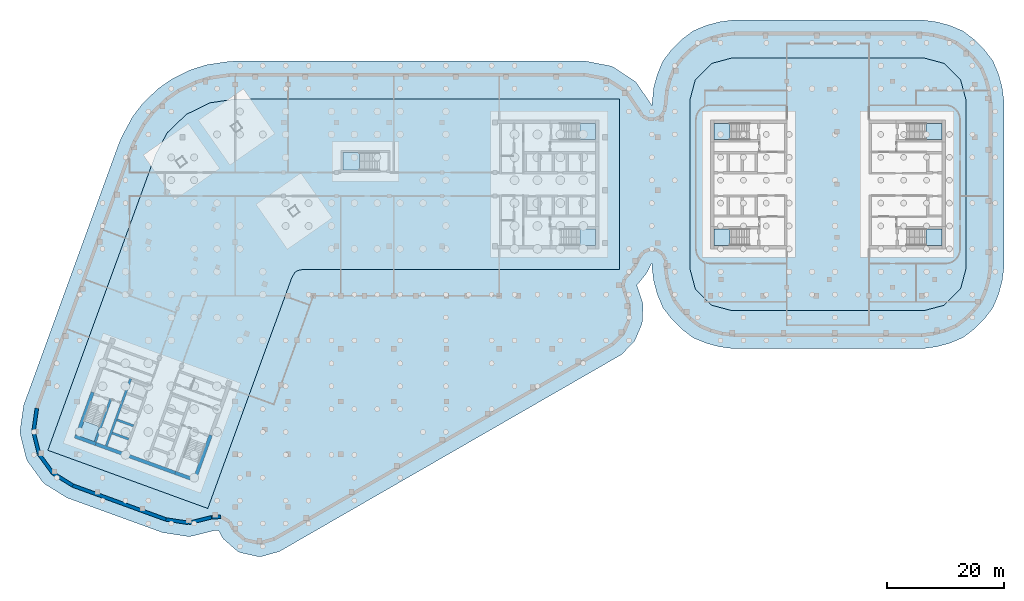
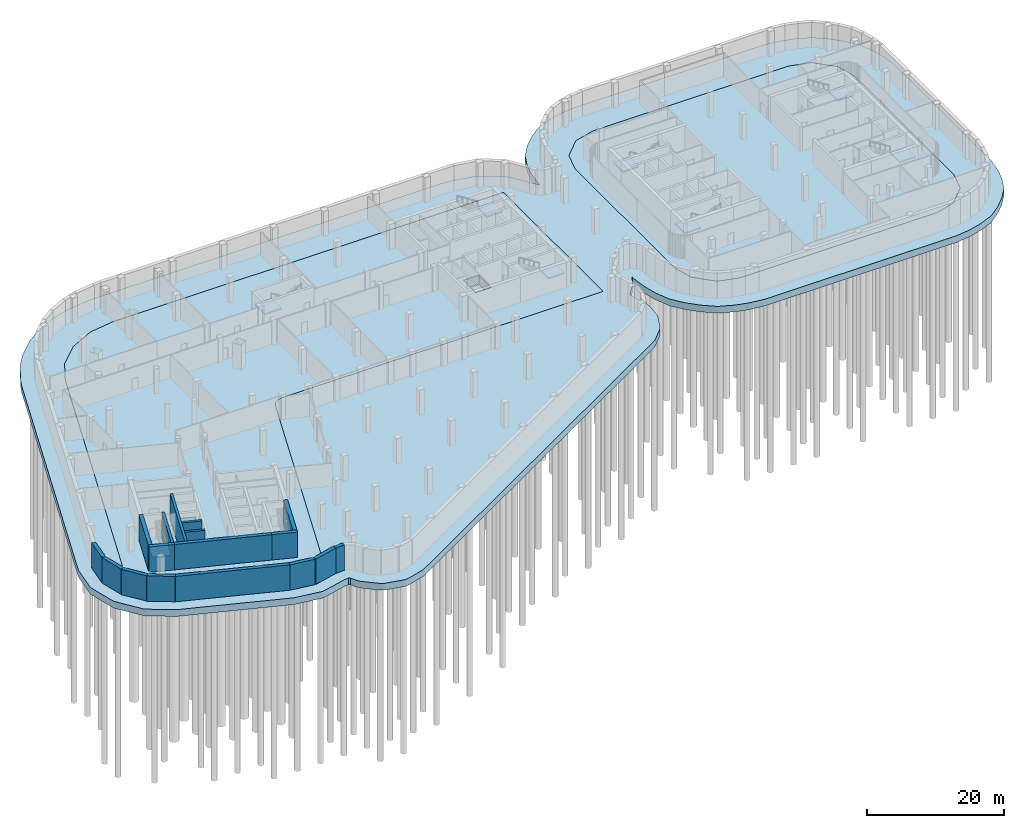
# One storey, part 4 of 18: 17 walls, 12 slabs, 8 elements without a shape of their own.
"""IFC4 building model written with IfcOpenShell, lengths in metres."""

from ifc_helpers import new_model, si_unit, direction, frame, frame_2d, origin, place, context, subcontext, project, spatial, polyline, rectangle, outline, extrude, material, layer, layer_set, type_object, element, aggregate, save


model = new_model("IFC4")

# Units and contexts
model_context = context("Model", 3, precision=1e-05, world=origin(), true_north=direction((0.0, 1.0)))
body_context = subcontext(model_context, "Body", "Model", "MODEL_VIEW")
ifc_project = project(units=[si_unit("LENGTHUNIT", "METRE"), si_unit("AREAUNIT", "SQUARE_METRE"), si_unit("VOLUMEUNIT", "CUBIC_METRE"), si_unit("PLANEANGLEUNIT", "RADIAN"), si_unit("MASSUNIT", "GRAM", prefix="KILO")], contexts=[model_context])

# Site, building, storey
site_placement = place(None, origin())
site = spatial("IfcSite", under=ifc_project, at=site_placement, CompositionType="ELEMENT")
building_placement = place(site_placement, origin())
building = spatial("IfcBuilding", under=site, at=building_placement, Name="Skarvind Civic Tower", CompositionType="ELEMENT")
storey_placement = place(building_placement, frame((0.0, 0.0, -9.0)))
storey = spatial("IfcBuildingStorey", under=building, at=storey_placement, Name="B2", CompositionType="ELEMENT", Elevation=-9.0)

# Slabs
ifc_material_1 = material(Name="Concrete C50", Category="concrete")
ifc_layer_1 = layer(ifc_material_1, 1.199951171875)
ifc_layer_set_1 = layer_set([ifc_layer_1], Name="Raft Podium 1200")
slab_type_1 = type_object("IfcSlabType", Name="Raft Podium 1200", PredefinedType="BASESLAB", material=ifc_layer_set_1)
slab_1_placement = place(storey_placement, frame((0.0, 0.0, -1.199951171875)))
element("IfcSlab", 1, at=slab_1_placement, inside=storey, type_object=slab_type_1, Name="Raft Podium 1", PredefinedType="BASESLAB", context=body_context, shape_type="SweptSolid", body=[
    extrude(outline(polyline([(53.296630859375, 65.36669921875), (53.452392578125, 65.41796875), (53.603515625, 65.481689453125), (53.748779296875, 65.5576171875), (111.58447265625, 98.844482421875), (111.740966796875, 98.944580078125), (111.8876953125, 99.058837890625), (112.02294921875, 99.18603515625), (113.801513671875, 101.02099609375), (113.922119140625, 101.1572265625), (114.029541015625, 101.303955078125), (114.12353515625, 101.459716796875), (114.202880859375, 101.623291015625), (115.211669921875, 103.97119140625), (115.27587890625, 104.141357421875), (115.32421875, 104.31689453125), (115.356689453125, 104.49560546875), (115.37255859375, 104.677001953125), (115.479736328125, 107.230224609375), (115.47900390625, 107.412109375), (115.4619140625, 107.593017578125), (115.428466796875, 107.77197265625), (115.378662109375, 107.94677734375), (114.58056640625, 110.34033203125), (114.43603515625, 110.824951171875), (114.440185546875, 110.84326171875), (114.7978515625, 111.24560546875), (114.856689453125, 111.314697265625), (115.919677734375, 112.625244140625), (116.043212890625, 112.794921875), (116.148193359375, 112.976806640625), (116.836181640625, 114.326416015625), (117.018310546875, 114.569091796875), (117.001220703125, 114.093505859375), (117.002197265625, 113.9267578125), (117.01708984375, 113.7607421875), (117.29541015625, 111.647216796875), (117.346435546875, 111.390625), (117.869873046875, 109.43701171875), (117.95361328125, 109.190185546875), (118.761962890625, 107.236572265625), (118.8359375, 107.077880859375), (118.92333984375, 106.926513671875), (119.023681640625, 106.783203125), (120.311279296875, 105.1064453125), (120.4833984375, 104.910400390625), (121.910400390625, 103.4833984375), (122.1064453125, 103.311279296875), (123.783203125, 102.023681640625), (123.926513671875, 101.92333984375), (124.077880859375, 101.8359375), (124.236572265625, 101.761962890625), (126.190185546875, 100.95361328125), (126.43701171875, 100.869873046875), (128.390625, 100.346435546875), (128.647216796875, 100.29541015625), (130.7607421875, 100.01708984375), (131.021728515625, 100.0), (162.978271484375, 100.0), (163.2392578125, 100.01708984375), (165.352783203125, 100.29541015625), (165.609375, 100.346435546875), (167.56298828125, 100.869873046875), (167.809814453125, 100.95361328125), (169.763427734375, 101.761962890625), (169.922119140625, 101.8359375), (170.073486328125, 101.92333984375), (170.216796875, 102.023681640625), (171.8935546875, 103.311279296875), (172.089599609375, 103.4833984375), (173.5166015625, 104.910400390625), (173.688720703125, 105.1064453125), (174.976318359375, 106.783203125), (175.07666015625, 106.926513671875), (175.1640625, 107.077880859375), (175.238037109375, 107.236572265625), (176.04638671875, 109.190185546875), (176.130126953125, 109.43701171875), (176.653564453125, 111.390625), (176.70458984375, 111.647216796875), (176.98291015625, 113.7607421875), (177.0, 114.021728515625), (177.0, 141.978271484375), (176.98291015625, 142.2392578125), (176.70458984375, 144.352783203125), (176.653564453125, 144.609375), (176.130126953125, 146.56298828125), (176.04638671875, 146.809814453125), (175.238037109375, 148.763427734375), (175.1640625, 148.922119140625), (175.07666015625, 149.073486328125), (174.976318359375, 149.216796875), (173.688720703125, 150.8935546875), (173.5166015625, 151.089599609375), (172.089599609375, 152.5166015625), (171.8935546875, 152.688720703125), (170.216796875, 153.976318359375), (170.073486328125, 154.07666015625), (169.922119140625, 154.1640625), (169.763427734375, 154.238037109375), (167.809814453125, 155.04638671875), (167.56298828125, 155.130126953125), (165.609375, 155.653564453125), (165.352783203125, 155.70458984375), (163.2392578125, 155.98291015625), (162.978271484375, 156.0), (131.021728515625, 156.0), (130.7607421875, 155.98291015625), (128.647216796875, 155.70458984375), (128.390625, 155.653564453125), (126.43701171875, 155.130126953125), (126.190185546875, 155.04638671875), (124.236572265625, 154.238037109375), (124.077880859375, 154.1640625), (123.926513671875, 154.07666015625), (123.783203125, 153.976318359375), (122.1064453125, 152.688720703125), (121.910400390625, 152.5166015625), (120.4833984375, 151.089599609375), (120.311279296875, 150.8935546875), (119.023681640625, 149.216796875), (118.92333984375, 149.073486328125), (118.8359375, 148.922119140625), (118.761962890625, 148.763427734375), (117.95361328125, 146.809814453125), (117.869873046875, 146.56298828125), (117.346435546875, 144.609375), (117.310791015625, 144.451904296875), (117.288330078125, 144.2919921875), (117.0234375, 141.66162109375), (116.976318359375, 141.464111328125), (116.794189453125, 141.747314453125), (116.763427734375, 141.79345703125), (114.48046875, 145.13330078125), (114.363037109375, 145.288330078125), (114.23095703125, 145.431396484375), (114.08544921875, 145.560791015625), (113.92822265625, 145.67578125), (110.548095703125, 147.8984375), (110.38037109375, 147.997314453125), (110.203857421875, 148.079345703125), (110.020263671875, 148.14404296875), (109.831298828125, 148.1904296875), (105.860107421875, 148.963134765625), (105.670166015625, 148.99072265625), (105.478271484375, 149.0), (46.114013671875, 149.0), (45.96630859375, 148.99462890625), (44.7529296875, 148.90478515625), (44.606201171875, 148.888427734375), (41.294189453125, 148.39599609375), (41.142333984375, 148.3671875), (40.993408203125, 148.3271484375), (38.595458984375, 147.580078125), (38.449951171875, 147.5283203125), (38.308837890625, 147.4658203125), (35.309814453125, 145.9931640625), (35.173828125, 145.919677734375), (35.044189453125, 145.836181640625), (32.98681640625, 144.3955078125), (32.86376953125, 144.30224609375), (32.748291015625, 144.19970703125), (30.338623046875, 141.885009765625), (30.231689453125, 141.77392578125), (30.13330078125, 141.65478515625), (28.611083984375, 139.656982421875), (28.5224609375, 139.53076171875), (28.443603515625, 139.39794921875), (26.847900390625, 136.4541015625), (26.782470703125, 136.32177734375), (26.283203125, 135.212158203125), (26.2275390625, 135.075439453125), (10.028076171875, 90.5673828125), (9.967529296875, 90.370361328125), (9.927734375, 90.16796875), (9.345703125, 86.117919921875), (9.32763671875, 85.92578125), (9.327880859375, 85.73291015625), (9.346923828125, 85.541015625), (9.384521484375, 85.351806640625), (10.3701171875, 81.380859375), (10.425537109375, 81.196044921875), (10.49853515625, 81.017333984375), (10.58837890625, 80.8466796875), (10.6943359375, 80.685302734375), (13.102783203125, 77.377685546875), (13.2236328125, 77.2275390625), (13.3583984375, 77.089599609375), (13.506103515625, 76.965087890625), (13.664794921875, 76.855712890625), (17.141357421875, 74.6982421875), (17.322021484375, 74.5986328125), (17.511962890625, 74.518310546875), (33.44580078125, 68.71875), (33.634521484375, 68.660400390625), (33.828369140625, 68.62109375), (37.8134765625, 68.013427734375), (38.010009765625, 67.993408203125), (38.20751953125, 67.99267578125), (38.404052734375, 68.01171875), (38.597900390625, 68.0498046875), (42.317626953125, 68.9755859375), (43.02587890625, 69.0087890625), (43.289306640625, 68.85205078125), (43.6845703125, 68.03564453125), (43.781982421875, 67.85791015625), (43.897216796875, 67.690673828125), (44.028564453125, 67.535888671875), (44.175048828125, 67.3955078125), (46.213623046875, 65.62939453125), (46.369384765625, 65.50732421875), (46.53662109375, 65.4013671875), (46.71337890625, 65.312255859375), (46.898193359375, 65.2412109375), (47.089111328125, 65.188720703125), (49.721923828125, 64.603271484375), (49.9169921875, 64.56982421875), (50.114501953125, 64.555908203125), (50.3125, 64.5615234375), (50.5087890625, 64.5869140625), (50.70166015625, 64.63134765625), (53.296630859375, 65.36669921875)]), holes=[polyline([(14.076416015625, 82.685791015625), (16.12841796875, 88.323974609375), (16.1865234375, 88.483154296875), (21.087890625, 101.949462890625), (32.430419921875, 133.11279296875), (34.429931640625, 136.802001953125), (37.66259765625, 139.906982421875), (41.685791015625, 141.8828125), (45.836669921875, 142.5), (111.5, 142.5), (111.5, 113.5), (57.58740234375, 113.5), (56.644775390625, 113.308349609375), (56.164794921875, 112.972412109375), (55.662353515625, 112.152099609375), (43.379638671875, 78.4052734375), (41.327392578125, 72.76708984375), (20.061767578125, 80.507080078125), (19.714599609375, 80.633544921875), (14.076416015625, 82.685791015625)]), polyline([(127.188232421875, 148.60205078125), (130.539306640625, 149.5), (163.460693359375, 149.5), (166.811767578125, 148.60205078125), (169.60205078125, 145.811767578125), (170.5, 142.460693359375), (170.5, 113.539306640625), (169.60205078125, 110.188232421875), (166.811767578125, 107.39794921875), (163.460693359375, 106.5), (130.539306640625, 106.5), (127.188232421875, 107.39794921875), (124.39794921875, 110.188232421875), (123.5, 113.539306640625), (123.5, 142.460693359375), (124.39794921875, 145.811767578125), (127.188232421875, 148.60205078125)])]), origin(), (0.0, 0.0, 1.0), 1.199951171875),
])
ifc_layer_2 = layer(ifc_material_1, 1.39990234375)
ifc_layer_set_2 = layer_set([ifc_layer_2], Name="Raft T1 lower layer 1400")
slab_type_2 = type_object("IfcSlabType", Name="Raft T1 lower layer 1400", PredefinedType="BASESLAB", material=ifc_layer_set_2)
slab_2_placement = place(storey_placement, frame((0.0, 0.0, -3.0)))
element("IfcSlab", 2, at=slab_2_placement, inside=storey, type_object=slab_type_2, Name="Raft T1 1 lower layer", PredefinedType="BASESLAB", context=body_context, shape_type="SweptSolid", body=[
    extrude(outline(polyline([(20.061767578125, 80.507080078125), (41.327392578125, 72.76708984375), (43.379638671875, 78.4052734375), (55.662353515625, 112.152099609375), (56.164794921875, 112.972412109375), (56.644775390625, 113.308349609375), (57.58740234375, 113.5), (111.5, 113.5), (111.5, 142.5), (45.836669921875, 142.5), (41.685791015625, 141.8828125), (37.66259765625, 139.906982421875), (34.429931640625, 136.802001953125), (32.430419921875, 133.11279296875), (21.087890625, 101.949462890625), (16.1865234375, 88.483154296875), (16.12841796875, 88.323974609375), (14.076416015625, 82.685791015625), (19.714599609375, 80.633544921875), (20.061767578125, 80.507080078125)])), origin(), (0.0, 0.0, 1.0), 1.39990234375),
])
ifc_layer_3 = layer(ifc_material_1, 1.60009765625)
ifc_layer_set_3 = layer_set([ifc_layer_3], Name="Raft T1 upper layer 1600")
slab_type_3 = type_object("IfcSlabType", Name="Raft T1 upper layer 1600", PredefinedType="BASESLAB", material=ifc_layer_set_3)
slab_3_placement = place(storey_placement, frame((0.0, 0.0, -1.60009765625)))
element("IfcSlab", 3, at=slab_3_placement, inside=storey, type_object=slab_type_3, Name="Raft T1 1 upper layer 1", PredefinedType="BASESLAB", context=body_context, shape_type="SweptSolid", body=[
    extrude(outline(polyline([(19.714599609375, 80.633544921875), (20.061767578125, 80.507080078125), (41.327392578125, 72.76708984375), (43.379638671875, 78.4052734375), (55.662353515625, 112.152099609375), (56.164794921875, 112.972412109375), (56.644775390625, 113.308349609375), (57.58740234375, 113.5), (111.5, 113.5), (111.5, 142.5), (45.836669921875, 142.5), (41.685791015625, 141.8828125), (37.66259765625, 139.906982421875), (34.429931640625, 136.802001953125), (32.430419921875, 133.11279296875), (21.087890625, 101.949462890625), (16.1865234375, 88.483154296875), (16.12841796875, 88.323974609375), (14.076416015625, 82.685791015625), (19.714599609375, 80.633544921875)]), holes=[polyline([(27.18505859375, 92.387451171875), (28.07421875, 94.83056640625), (31.457275390625, 93.599365234375), (30.568115234375, 91.156005859375), (27.18505859375, 92.387451171875)]), polyline([(97.89990234375, 122.5), (95.300048828125, 122.5), (95.300048828125, 126.10009765625), (97.89990234375, 126.10009765625), (97.89990234375, 122.5)])]), origin(), (0.0, 0.0, 1.0), 1.60009765625),
])
ifc_layer_4 = layer(ifc_material_1, 2.199951171875)
ifc_layer_set_4 = layer_set([ifc_layer_4], Name="Raft T2 2200")
slab_type_4 = type_object("IfcSlabType", Name="Raft T2 2200", PredefinedType="BASESLAB", material=ifc_layer_set_4)
slab_4_placement = place(storey_placement, frame((0.0, 0.0, -2.199951171875)))
element("IfcSlab", 4, at=slab_4_placement, inside=storey, type_object=slab_type_4, Name="Raft T2 1", PredefinedType="BASESLAB", context=body_context, shape_type="SweptSolid", body=[
    extrude(outline(polyline([(123.5, 142.460693359375), (123.5, 113.539306640625), (124.39794921875, 110.188232421875), (127.188232421875, 107.39794921875), (130.539306640625, 106.5), (163.460693359375, 106.5), (166.811767578125, 107.39794921875), (169.60205078125, 110.188232421875), (170.5, 113.539306640625), (170.5, 142.460693359375), (169.60205078125, 145.811767578125), (166.811767578125, 148.60205078125), (163.460693359375, 149.5), (130.539306640625, 149.5), (127.188232421875, 148.60205078125), (124.39794921875, 145.811767578125), (123.5, 142.460693359375)])), origin(), (0.0, 0.0, 1.0), 2.199951171875),
])

# Stair, slab
ifc_material_2 = material(Name="Concrete C40/50", Category="concrete")
stair_type_1 = type_object("IfcStairType", Name="Exit stair, half-turn, concrete", PredefinedType="HALF_TURN_STAIR", material=ifc_material_2)
stair_1_placement = place(storey_placement, origin())
stair_1 = element("IfcStair", 5, at=stair_1_placement, inside=storey, type_object=stair_type_1, Name="Exit stair C1S", PredefinedType="HALF_TURN_STAIR")
ifc_layer_5 = layer(ifc_material_2, 0.199951171875)
ifc_layer_set_5 = layer_set([ifc_layer_5], Name="Stair half landing slab")
slab_type_5 = type_object("IfcSlabType", Name="Stair half landing slab", PredefinedType="LANDING", material=ifc_layer_set_5)
slab_5_placement = place(storey_placement, frame((0.0, 0.0, 2.050048828125)))
slab_5 = element("IfcSlab", 6, at=slab_5_placement, type_object=slab_type_5, Name="ST-C1S landing 1", PredefinedType="LANDING", context=body_context, shape_type="SweptSolid", body=[
    extrude(outline(polyline([(104.70947265625, 135.599365234375), (104.70947265625, 138.400634765625), (107.400634765625, 138.400634765625), (107.400634765625, 135.599365234375), (104.70947265625, 135.599365234375)])), origin(), (0.0, 0.0, 1.0), 0.199951171875),
])
aggregate(stair_1, [slab_5])

stair_2_placement = place(storey_placement, origin())
stair_2 = element("IfcStair", 7, at=stair_2_placement, inside=storey, type_object=stair_type_1, Name="Exit stair C1N", PredefinedType="HALF_TURN_STAIR")
slab_6_placement = place(storey_placement, frame((0.0, 0.0, 2.050048828125)))
slab_6 = element("IfcSlab", 8, at=slab_6_placement, type_object=slab_type_5, Name="ST-C1N landing 1", PredefinedType="LANDING", context=body_context, shape_type="SweptSolid", body=[
    extrude(outline(polyline([(104.70947265625, 117.599365234375), (104.70947265625, 120.400634765625), (107.400634765625, 120.400634765625), (107.400634765625, 117.599365234375), (104.70947265625, 117.599365234375)])), origin(), (0.0, 0.0, 1.0), 0.199951171875),
])
aggregate(stair_2, [slab_6])

stair_3_placement = place(storey_placement, origin())
stair_3 = element("IfcStair", 9, at=stair_3_placement, inside=storey, type_object=stair_type_1, Name="Exit stair C2N", PredefinedType="HALF_TURN_STAIR")
slab_7_placement = place(storey_placement, frame((0.0, 0.0, 2.050048828125)))
slab_7 = element("IfcSlab", 10, at=slab_7_placement, type_object=slab_type_5, Name="ST-C2N landing 1", PredefinedType="LANDING", context=body_context, shape_type="SweptSolid", body=[
    extrude(outline(polyline([(20.2509765625, 87.664794921875), (22.88330078125, 86.706787109375), (21.962890625, 84.177734375), (19.33056640625, 85.1357421875), (20.2509765625, 87.664794921875)])), origin(), (0.0, 0.0, 1.0), 0.199951171875),
])
aggregate(stair_3, [slab_7])

stair_4_placement = place(storey_placement, origin())
stair_4 = element("IfcStair", 11, at=stair_4_placement, inside=storey, type_object=stair_type_1, Name="Exit stair CAS", PredefinedType="HALF_TURN_STAIR")
slab_8_placement = place(storey_placement, frame((0.0, 0.0, 2.050048828125)))
slab_8 = element("IfcSlab", 12, at=slab_8_placement, type_object=slab_type_5, Name="ST-CAS landing 1", PredefinedType="LANDING", context=body_context, shape_type="SweptSolid", body=[
    extrude(outline(polyline([(130.29052734375, 120.400634765625), (130.29052734375, 117.599365234375), (127.599365234375, 117.599365234375), (127.599365234375, 120.400634765625), (130.29052734375, 120.400634765625)])), origin(), (0.0, 0.0, 1.0), 0.199951171875),
])
aggregate(stair_4, [slab_8])

stair_5_placement = place(storey_placement, origin())
stair_5 = element("IfcStair", 13, at=stair_5_placement, inside=storey, type_object=stair_type_1, Name="Exit stair CAN", PredefinedType="HALF_TURN_STAIR")
slab_9_placement = place(storey_placement, frame((0.0, 0.0, 2.050048828125)))
slab_9 = element("IfcSlab", 14, at=slab_9_placement, type_object=slab_type_5, Name="ST-CAN landing 1", PredefinedType="LANDING", context=body_context, shape_type="SweptSolid", body=[
    extrude(outline(polyline([(130.29052734375, 138.400634765625), (130.29052734375, 135.599365234375), (127.599365234375, 135.599365234375), (127.599365234375, 138.400634765625), (130.29052734375, 138.400634765625)])), origin(), (0.0, 0.0, 1.0), 0.199951171875),
])
aggregate(stair_5, [slab_9])

stair_6_placement = place(storey_placement, origin())
stair_6 = element("IfcStair", 15, at=stair_6_placement, inside=storey, type_object=stair_type_1, Name="Exit stair CBS", PredefinedType="HALF_TURN_STAIR")
slab_10_placement = place(storey_placement, frame((0.0, 0.0, 2.050048828125)))
slab_10 = element("IfcSlab", 16, at=slab_10_placement, type_object=slab_type_5, Name="ST-CBS landing 1", PredefinedType="LANDING", context=body_context, shape_type="SweptSolid", body=[
    extrude(outline(polyline([(163.70947265625, 135.599365234375), (163.70947265625, 138.400634765625), (166.400634765625, 138.400634765625), (166.400634765625, 135.599365234375), (163.70947265625, 135.599365234375)])), origin(), (0.0, 0.0, 1.0), 0.199951171875),
])
aggregate(stair_6, [slab_10])

stair_7_placement = place(storey_placement, origin())
stair_7 = element("IfcStair", 17, at=stair_7_placement, inside=storey, type_object=stair_type_1, Name="Exit stair CBN", PredefinedType="HALF_TURN_STAIR")
slab_11_placement = place(storey_placement, frame((0.0, 0.0, 2.050048828125)))
slab_11 = element("IfcSlab", 18, at=slab_11_placement, type_object=slab_type_5, Name="ST-CBN landing 1", PredefinedType="LANDING", context=body_context, shape_type="SweptSolid", body=[
    extrude(outline(polyline([(163.70947265625, 117.599365234375), (163.70947265625, 120.400634765625), (166.400634765625, 120.400634765625), (166.400634765625, 117.599365234375), (163.70947265625, 117.599365234375)])), origin(), (0.0, 0.0, 1.0), 0.199951171875),
])
aggregate(stair_7, [slab_11])

stair_type_2 = type_object("IfcStairType", Name="Exit stair 1450, half-turn, concrete", PredefinedType="HALF_TURN_STAIR", material=ifc_material_2)
stair_8_placement = place(storey_placement, origin())
stair_8 = element("IfcStair", 19, at=stair_8_placement, inside=storey, type_object=stair_type_2, Name="Exit stair CM", PredefinedType="HALF_TURN_STAIR")
slab_12_placement = place(storey_placement, frame((0.0, 0.0, 2.050048828125)))
slab_12 = element("IfcSlab", 20, at=slab_12_placement, type_object=slab_type_5, Name="ST-CM landing 1", PredefinedType="LANDING", context=body_context, shape_type="SweptSolid", body=[
    extrude(outline(polyline([(67.190673828125, 133.400634765625), (67.190673828125, 130.3994140625), (64.3994140625, 130.3994140625), (64.3994140625, 133.400634765625), (67.190673828125, 133.400634765625)])), origin(), (0.0, 0.0, 1.0), 0.199951171875),
])
aggregate(stair_8, [slab_12])

# Walls
ifc_material_3 = material(Name="Concrete C40", Category="concrete")
ifc_layer_6 = layer(ifc_material_3, 0.60009765625)
ifc_layer_set_6 = layer_set([ifc_layer_6], Name="Basement retaining wall 600 C40")
wall_type_1 = type_object("IfcWallType", Name="Basement retaining wall 600 C40", PredefinedType="SHEAR", material=ifc_layer_set_6)
wall_1_placement = place(storey_placement, frame((43.538330078125, 71.335205078125, 0.0), z_axis=(0.0, 0.0, 1.0), x_axis=(-0.998910056035, -0.046676546065, 0.0)))
element("IfcWall", 21, at=wall_1_placement, inside=storey, type_object=wall_type_1, Name="Basement retaining wall B2 6", PredefinedType="SHEAR", context=body_context, shape_type="SweptSolid", body=[
    extrude(rectangle(XDim=1.52734375, YDim=0.60009765625, at=frame_2d((0.763671875, 0.0))), origin(), (0.0, 0.0, 1.0), 4.5),
])
wall_2_placement = place(storey_placement, frame((41.954345703125, 71.25537109375, 0.0), z_axis=(0.0, 0.0, 1.0), x_axis=(-0.970394910586, -0.241523741086, 0.0)))
element("IfcWall", 22, at=wall_2_placement, inside=storey, type_object=wall_type_1, Name="Basement retaining wall B2 7", PredefinedType="SHEAR", context=body_context, shape_type="SweptSolid", body=[
    extrude(rectangle(XDim=4.03125, YDim=0.60009765625, at=frame_2d((2.015625, 0.0))), origin(), (0.0, 0.0, 1.0), 4.5),
])
wall_3_placement = place(storey_placement, frame((38.021728515625, 70.30810546875, 0.0), z_axis=(0.0, 0.0, 1.0), x_axis=(-0.98856887885, 0.150769929924, 0.0)))
element("IfcWall", 23, at=wall_3_placement, inside=storey, type_object=wall_type_1, Name="Basement retaining wall B2 8", PredefinedType="SHEAR", context=body_context, shape_type="SweptSolid", body=[
    extrude(rectangle(XDim=3.89111328125, YDim=0.60009765625, at=frame_2d((1.945556640625, 0.0))), origin(), (0.0, 0.0, 1.0), 4.5),
])
wall_4_placement = place(storey_placement, frame((34.2041015625, 70.890380859375, 0.0), z_axis=(0.0, 0.0, 1.0), x_axis=(-0.939693996621, 0.342016363227, 0.0)))
element("IfcWall", 24, at=wall_4_placement, inside=storey, type_object=wall_type_1, Name="Basement retaining wall B2 9", PredefinedType="SHEAR", context=body_context, shape_type="SweptSolid", body=[
    extrude(rectangle(XDim=16.92626953125, YDim=0.60009765625, at=frame_2d((8.463134765625, 0.0))), origin(), (0.0, 0.0, 1.0), 4.5),
])
wall_5_placement = place(storey_placement, frame((18.32861328125, 76.668212890625, 0.0), z_axis=(0.0, 0.0, 1.0), x_axis=(-0.849679171995, 0.527300013918, 0.0)))
element("IfcWall", 25, at=wall_5_placement, inside=storey, type_object=wall_type_1, Name="Basement retaining wall B2 10", PredefinedType="SHEAR", context=body_context, shape_type="SweptSolid", body=[
    extrude(rectangle(XDim=4.0615234375, YDim=0.60009765625, at=frame_2d((2.03076171875, 0.0))), origin(), (0.0, 0.0, 1.0), 4.5),
])
wall_6_placement = place(storey_placement, frame((14.885498046875, 78.836669921875, 0.0), z_axis=(0.0, 0.0, 1.0), x_axis=(-0.588600339707, 0.808424170901, 0.0)))
element("IfcWall", 26, at=wall_6_placement, inside=storey, type_object=wall_type_1, Name="Basement retaining wall B2 11", PredefinedType="SHEAR", context=body_context, shape_type="SweptSolid", body=[
    extrude(rectangle(XDim=3.961669921875, YDim=0.60009765625, at=frame_2d((1.98095703125, 0.0))), origin(), (0.0, 0.0, 1.0), 4.5),
])
for number, where, z_axis, x_axis, name in (
    (27, (12.571044921875, 82.06103515625, 0.0), (0.0, 0.0, 1.0), (-0.240911156859, 0.970547172733, 0.0), "Basement retaining wall B2 12"),
    (28, (11.640869140625, 85.919677734375, 0.0), (0.0, 0.0, 1.0), (0.142240980655, 0.989832058191, 0.0), "Basement retaining wall B2 13"),
):
    element("IfcWall", number, at=place(storey_placement, frame(where, z_axis=z_axis, x_axis=x_axis)), inside=storey, type_object=wall_type_1, Name=name, PredefinedType="SHEAR", context=body_context, shape_type="SweptSolid", body=[
        extrude(rectangle(XDim=3.96142578125, YDim=0.60009765625, at=frame_2d((1.980712890625, 0.0))), origin(), (0.0, 0.0, 1.0), 4.5),
    ])
ifc_material_4 = material(Name="Concrete C80", Category="concrete")
ifc_layer_7 = layer(ifc_material_4, 0.39990234375)
ifc_layer_set_7 = layer_set([ifc_layer_7], Name="Core wall 400 C80")
wall_type_2 = type_object("IfcWallType", Name="Core wall 400 C80", PredefinedType="SHEAR", material=ifc_layer_set_7)
wall_7_placement = place(storey_placement, frame((22.150390625, 84.110107421875, 0.0), z_axis=(0.0, 0.0, 1.0), x_axis=(0.342016982193, 0.939693771338, 0.0)))
element("IfcWall", 29, at=wall_7_placement, inside=storey, type_object=wall_type_2, Name="Core wall C2 north stair inner B2", PredefinedType="SHEAR", context=body_context, shape_type="SweptSolid", body=[
    extrude(rectangle(XDim=7.800048828125, YDim=0.39990234375, at=frame_2d((3.89990234375, 0.0))), origin(), (0.0, 0.0, 1.0), 4.5),
])
wall_8_placement = place(storey_placement, frame((24.02978515625, 83.426025390625, 0.0), z_axis=(0.0, 0.0, 1.0), x_axis=(0.342014590177, 0.939694641948, 0.0)))
element("IfcWall", 30, at=wall_8_placement, inside=storey, type_object=wall_type_2, Name="Core wall C2 north lift row back B2", PredefinedType="SHEAR", context=body_context, shape_type="SweptSolid", body=[
    extrude(rectangle(XDim=12.2001953125, YDim=0.39990234375, at=frame_2d((6.10009765625, 0.0))), origin(), (0.0, 0.0, 1.0), 4.5),
])
wall_9_placement = place(storey_placement, frame((27.857666015625, 84.5869140625, 0.0), z_axis=(0.0, 0.0, 1.0), x_axis=(-0.939686455819, 0.342037080957, 0.0)))
element("IfcWall", 31, at=wall_9_placement, inside=storey, type_object=wall_type_2, Name="Core wall C2 north lift row division 1 B2", PredefinedType="SHEAR", context=body_context, shape_type="SweptSolid", body=[
    extrude(rectangle(XDim=3.0, YDim=0.39990234375, at=frame_2d((1.5, 0.0))), origin(), (0.0, 0.0, 1.0), 4.5),
])
wall_10_placement = place(storey_placement, frame((28.678466796875, 86.842041015625, 0.0), z_axis=(0.0, 0.0, 1.0), x_axis=(-0.939676934218, 0.342063238742, 0.0)))
element("IfcWall", 32, at=wall_10_placement, inside=storey, type_object=wall_type_2, Name="Core wall C2 north lift row division 2 B2", PredefinedType="SHEAR", context=body_context, shape_type="SweptSolid", body=[
    extrude(rectangle(XDim=2.999755859375, YDim=0.39990234375, at=frame_2d((1.5, 0.0))), origin(), (0.0, 0.0, 1.0), 4.5),
])
ifc_layer_8 = layer(ifc_material_4, 0.60009765625)
ifc_layer_set_8 = layer_set([ifc_layer_8], Name="Core wall 600 C80")
wall_type_3 = type_object("IfcWallType", Name="Core wall 600 C80", PredefinedType="SHEAR", material=ifc_layer_set_8)
wall_11_placement = place(storey_placement, frame((39.338134765625, 77.53515625, 0.0), z_axis=(0.0, 0.0, 1.0), x_axis=(-0.939701471648, 0.341995824804, 0.0)))
element("IfcWall", 33, at=wall_11_placement, inside=storey, type_object=wall_type_3, Name="Core wall C2 tip at the south stair B2", PredefinedType="SHEAR", context=body_context, shape_type="SweptSolid", body=[
    extrude(rectangle(XDim=3.800048828125, YDim=0.60009765625, at=frame_2d((1.89990234375, 0.0))), origin(), (0.0, 0.0, 1.0), 4.5),
])
wall_12_placement = place(storey_placement, frame((35.767333984375, 78.834716796875, 0.0), z_axis=(0.0, 0.0, 1.0), x_axis=(-0.939692894512, 0.342019391267, 0.0)))
element("IfcWall", 34, at=wall_12_placement, inside=storey, type_object=wall_type_3, Name="Core wall C2 tip between the stairs B2", PredefinedType="SHEAR", context=body_context, shape_type="SweptSolid", body=[
    extrude(rectangle(XDim=14.39990234375, YDim=0.60009765625, at=frame_2d((7.199951171875, 0.0))), origin(), (0.0, 0.0, 1.0), 4.5),
])
wall_13_placement = place(storey_placement, frame((22.23583984375, 83.759765625, 0.0), z_axis=(0.0, 0.0, 1.0), x_axis=(-0.939680822529, 0.342052557032, 0.0)))
element("IfcWall", 35, at=wall_13_placement, inside=storey, type_object=wall_type_3, Name="Core wall C2 tip at the north stair B2", PredefinedType="SHEAR", context=body_context, shape_type="SweptSolid", body=[
    extrude(rectangle(XDim=3.800048828125, YDim=0.60009765625, at=frame_2d((1.89990234375, 0.0))), origin(), (0.0, 0.0, 1.0), 4.5),
])
for number, where, z_axis, x_axis, name in (
    (36, (39.158935546875, 77.919677734375, 0.0), (0.0, 0.0, 1.0), (0.342016982193, 0.939693771338, 0.0), "Core wall C2 south side at the stair B2"),
    (37, (19.049560546875, 85.23876953125, 0.0), (0.0, 0.0, 1.0), (0.342016982193, 0.939693771338, 0.0), "Core wall C2 north side at the stair B2"),
):
    element("IfcWall", number, at=place(storey_placement, frame(where, z_axis=z_axis, x_axis=x_axis)), inside=storey, type_object=wall_type_3, Name=name, PredefinedType="SHEAR", context=body_context, shape_type="SweptSolid", body=[
        extrude(rectangle(XDim=7.800048828125, YDim=0.60009765625, at=frame_2d((3.89990234375, 0.0))), origin(), (0.0, 0.0, 1.0), 4.5),
    ])

save(model, "model.ifc")
